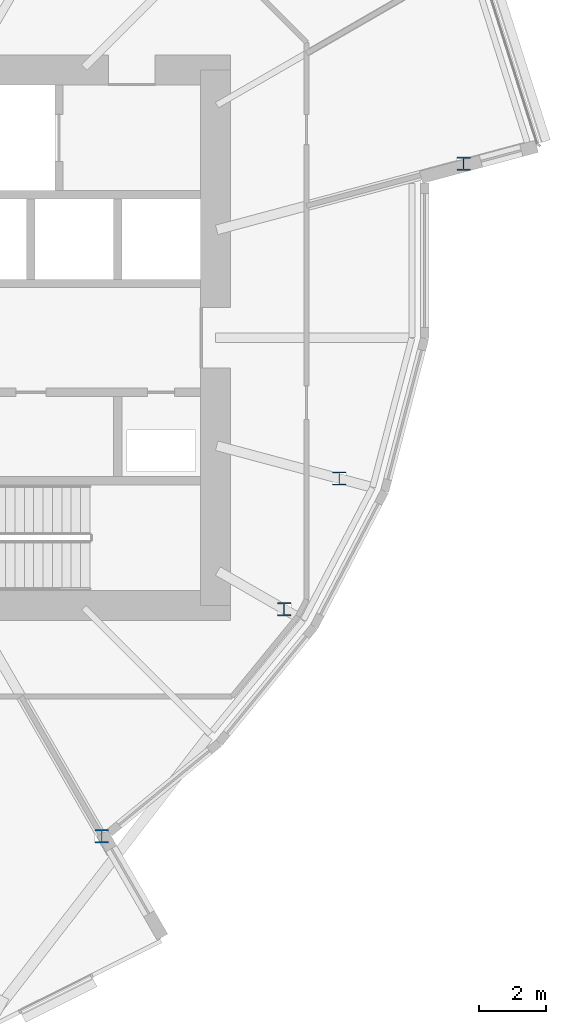
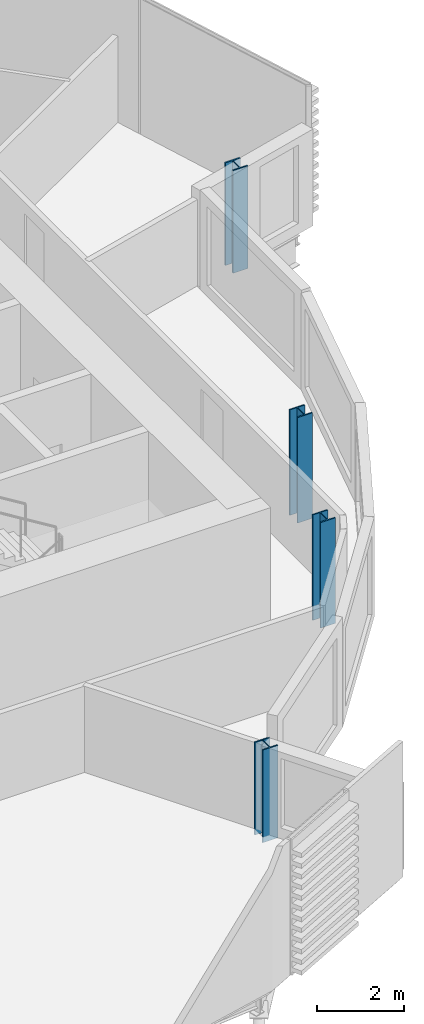
# One storey, part 2 of 37: 4 columns.
"""IFC4 building model written with IfcOpenShell, lengths in metres."""

from ifc_helpers import new_model, si_unit, direction, frame, origin, origin_2d, place, context, subcontext, project, spatial, i_section, extrude, material, material_profile, profile_set, type_object, element, save


model = new_model("IFC4")

# Units and contexts
model_context = context("Model", 3, precision=1e-05, world=origin(), true_north=direction((0.0, 1.0)))
body_context = subcontext(model_context, "Body", "Model", "MODEL_VIEW")
ifc_project = project(units=[si_unit("LENGTHUNIT", "METRE"), si_unit("AREAUNIT", "SQUARE_METRE"), si_unit("VOLUMEUNIT", "CUBIC_METRE"), si_unit("PLANEANGLEUNIT", "RADIAN"), si_unit("MASSUNIT", "GRAM", prefix="KILO")], contexts=[model_context])

# Site, building, storey
site_placement = place(None, origin())
site = spatial("IfcSite", under=ifc_project, at=site_placement, CompositionType="ELEMENT")
building_placement = place(site_placement, origin())
building = spatial("IfcBuilding", under=site, at=building_placement, Name="Rimbun Link Towers", CompositionType="ELEMENT")
storey_placement = place(building_placement, frame((0.0, 0.0, 60.39990234375)))
storey = spatial("IfcBuildingStorey", under=building, at=storey_placement, Name="L14", CompositionType="ELEMENT", Elevation=60.39990234375)

# Columns
ifc_material = material(Name="Steel S355J2", Category="steel")
ifc_material_profile = material_profile(ifc_material, i_section(OverallWidth=0.39892578125, OverallDepth=0.3935546875, WebThickness=0.022705078125, FlangeThickness=0.03662109375, at=origin_2d()), Name="UC 356x406x287")
ifc_profile_set = profile_set([ifc_material_profile], Name="Steel S355J2")
column_type = type_object("IfcColumnType", Name="UC 356x406x287", PredefinedType="COLUMN", material=ifc_profile_set)
column_1_placement = place(storey_placement, frame((40.35205078125, -14.899169921875, -0.159912109375), z_axis=(0.0, 0.0, 1.0), x_axis=(1.0, 0.0, 0.0)))
element("IfcColumn", 1, at=column_1_placement, inside=storey, type_object=column_type, Name="Crease post T2 L14 17", PredefinedType="COLUMN", context=body_context, shape_type="SweptSolid", body=[
    extrude(i_section(OverallWidth=0.39892578125, OverallDepth=0.3935546875, WebThickness=0.022705078125, FlangeThickness=0.03662109375, at=origin_2d()), origin(), (0.0, 0.0, 1.0), 2.60009765625),
])
for number, where, z_axis, x_axis, name in (
    (2, (45.802978515625, -8.113525390625, -0.159912109375), (0.0, 0.0, 1.0), (1.0, 0.0, 0.0), "Crease post T2 L14 19"),
    (3, (47.44873046875, -4.20654296875, -0.159912109375), (0.0, 0.0, 1.0), (1.0, 0.0, 0.0), "Crease post T2 L14 20"),
):
    element("IfcColumn", number, at=place(storey_placement, frame(where, z_axis=z_axis, x_axis=x_axis)), inside=storey, type_object=column_type, Name=name, PredefinedType="COLUMN", context=body_context, shape_type="SweptSolid", body=[
        extrude(i_section(OverallWidth=0.39892578125, OverallDepth=0.3935546875, WebThickness=0.022705078125, FlangeThickness=0.03662109375, at=origin_2d()), origin(), (0.0, 0.0, 1.0), 2.959228515625),
    ])
column_2_placement = place(storey_placement, frame((51.168212890625, 5.203125, -0.159912109375), z_axis=(0.0, 0.0, 1.0), x_axis=(1.0, 0.0, 0.0)))
element("IfcColumn", 4, at=column_2_placement, inside=storey, type_object=column_type, Name="Crease post T2 L14 22", PredefinedType="COLUMN", context=body_context, shape_type="SweptSolid", body=[
    extrude(i_section(OverallWidth=0.39892578125, OverallDepth=0.3935546875, WebThickness=0.022705078125, FlangeThickness=0.03662109375, at=origin_2d()), origin(), (0.0, 0.0, 1.0), 2.881591796875),
])

save(model, "model.ifc")
